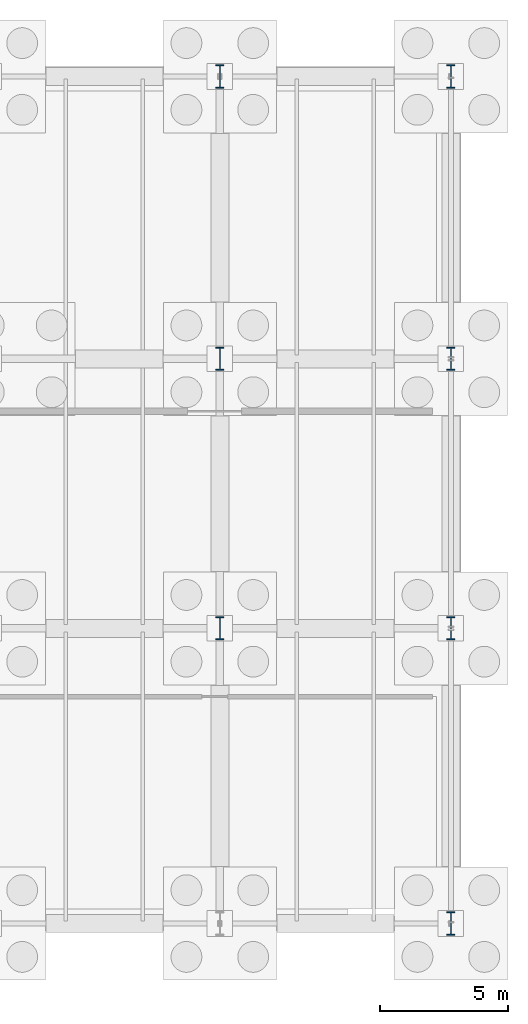
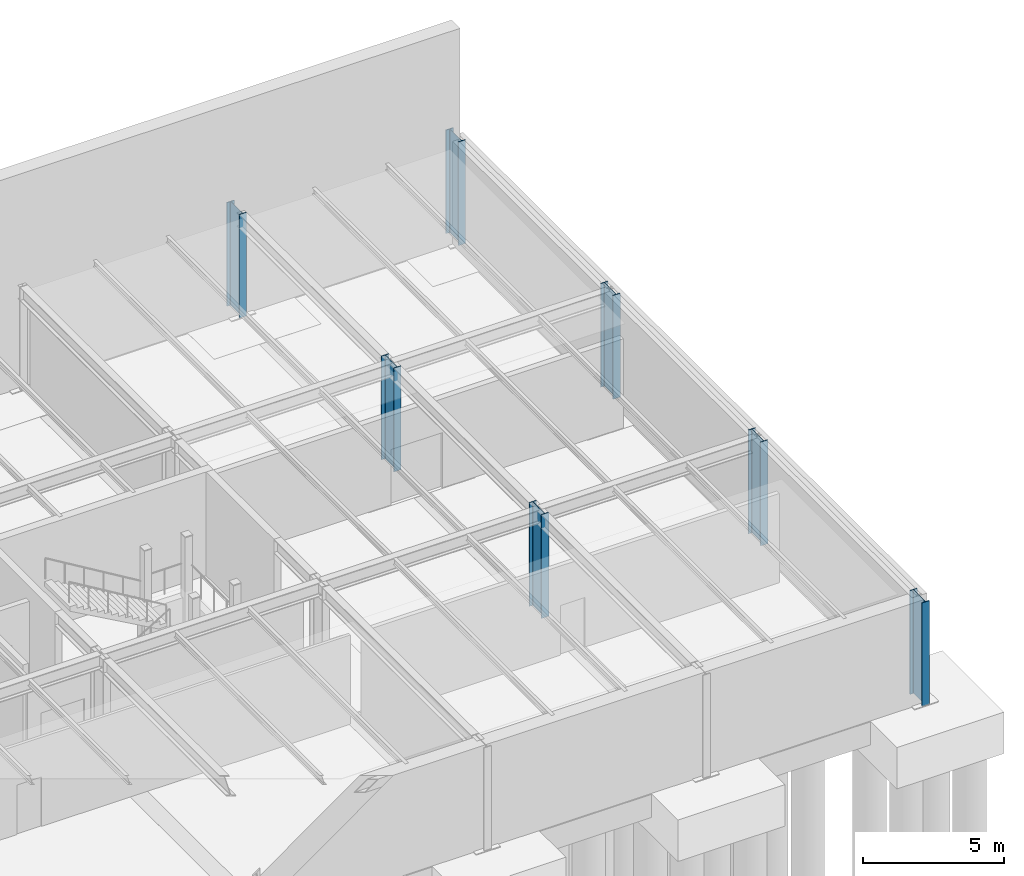
# One storey, part 6 of 19: 7 columns.
"""IFC4 building model written with IfcOpenShell, lengths in metres."""

from ifc_helpers import new_model, si_unit, direction, frame, origin, origin_2d, place, context, subcontext, project, spatial, i_section, extrude, material, material_profile, profile_set, type_object, element, save


model = new_model("IFC4")

# Units and contexts
model_context = context("Model", 3, precision=1e-05, world=origin(), true_north=direction((0.0, 1.0)))
body_context = subcontext(model_context, "Body", "Model", "MODEL_VIEW")
ifc_project = project(units=[si_unit("LENGTHUNIT", "METRE"), si_unit("AREAUNIT", "SQUARE_METRE"), si_unit("VOLUMEUNIT", "CUBIC_METRE"), si_unit("PLANEANGLEUNIT", "RADIAN"), si_unit("MASSUNIT", "GRAM", prefix="KILO")], contexts=[model_context])

# Site, building, storey
site_placement = place(None, origin())
site = spatial("IfcSite", under=ifc_project, at=site_placement, CompositionType="ELEMENT")
building_placement = place(site_placement, origin())
building = spatial("IfcBuilding", under=site, at=building_placement, Name="Marlcrest Central Station", CompositionType="ELEMENT")
storey_placement = place(building_placement, frame((0.0, 0.0, -4.800048828125)))
storey = spatial("IfcBuildingStorey", under=building, at=storey_placement, Name="B1", CompositionType="ELEMENT", Elevation=-4.800048828125)

# Columns
ifc_material = material(Name="Steel S355", Category="steel")
ifc_material_profile = material_profile(ifc_material, i_section(OverallWidth=0.300048828125, OverallDepth=0.89990234375, WebThickness=0.0185546875, FlangeThickness=0.034912109375, FilletRadius=0.030029296875, at=origin_2d()), Name="HEB 900")
ifc_profile_set = profile_set([ifc_material_profile], Name="Steel S355")
column_type = type_object("IfcColumnType", Name="SC-09", PredefinedType="COLUMN", material=ifc_profile_set)
for number, where, z_axis, x_axis, name in (
    (1, (63.0, 110.5, 0.0), (0.0, 0.0, 1.0), (1.0, 0.0, 0.0), "col-SC-09-B1-0030"),
    (2, (63.0, 121.0, 0.0), (0.0, 0.0, 1.0), (1.0, 0.0, 0.0), "col-SC-09-B1-0031"),
    (3, (63.0, 132.0, 0.0), (0.0, 0.0, 1.0), (1.0, 0.0, 0.0), "col-SC-09-B1-0032"),
    (4, (72.0, 99.0, 0.0), (0.0, 0.0, 1.0), (1.0, 0.0, 0.0), "col-SC-09-B1-0033"),
    (5, (72.0, 110.5, 0.0), (0.0, 0.0, 1.0), (1.0, 0.0, 0.0), "col-SC-09-B1-0034"),
    (6, (72.0, 121.0, 0.0), (0.0, 0.0, 1.0), (1.0, 0.0, 0.0), "col-SC-09-B1-0035"),
    (7, (72.0, 132.0, 0.0), (0.0, 0.0, 1.0), (1.0, 0.0, 0.0), "col-SC-09-B1-0036"),
):
    element("IfcColumn", number, at=place(storey_placement, frame(where, z_axis=z_axis, x_axis=x_axis)), inside=storey, type_object=column_type, Name=name, PredefinedType="COLUMN", context=body_context, shape_type="SweptSolid", body=[
        extrude(i_section(OverallWidth=0.300048828125, OverallDepth=0.89990234375, WebThickness=0.0185546875, FlangeThickness=0.034912109375, FilletRadius=0.030029296875, at=origin_2d()), origin(), (0.0, 0.0, 1.0), 4.5),
    ])

save(model, "model.ifc")
